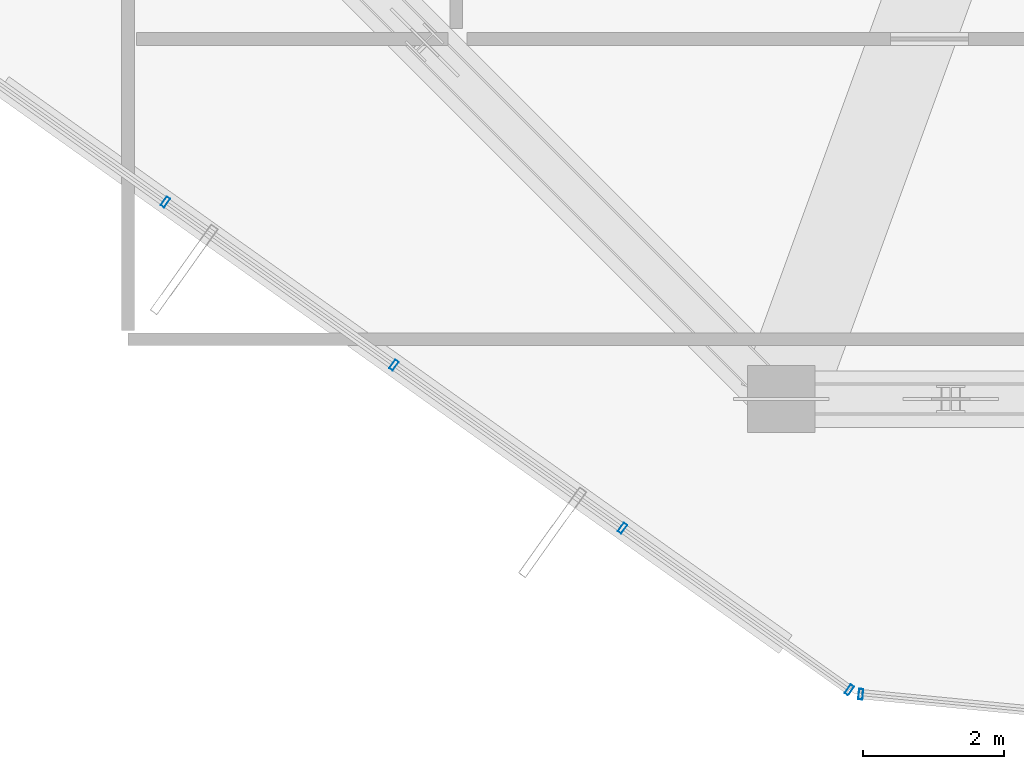
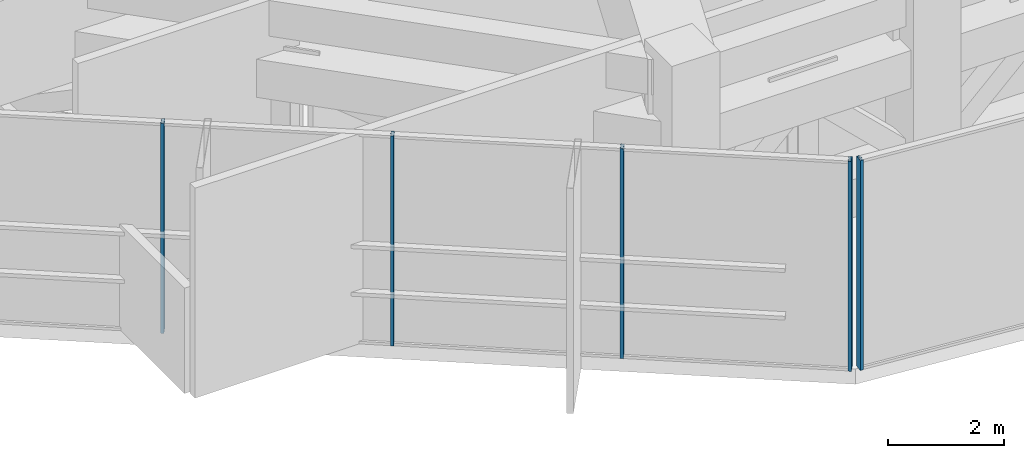
# One storey, part 2 of 31: 5 members, 2 elements without a shape of their own.
"""IFC4 building model written with IfcOpenShell, lengths in metres."""

from ifc_helpers import new_model, si_unit, direction, frame, origin, origin_2d, place, context, subcontext, project, spatial, hollow_rectangle, extrude, source, transform, mapped, material, layer, layer_set, material_profile, profile_set, type_object, element, aggregate, save


model = new_model("IFC4")

# Units and contexts
model_context = context("Model", 3, precision=1e-05, world=origin(), true_north=direction((0.0, 1.0)))
body_context = subcontext(model_context, "Body", "Model", "MODEL_VIEW")
ifc_project = project(units=[si_unit("LENGTHUNIT", "METRE"), si_unit("AREAUNIT", "SQUARE_METRE"), si_unit("VOLUMEUNIT", "CUBIC_METRE"), si_unit("PLANEANGLEUNIT", "RADIAN"), si_unit("MASSUNIT", "GRAM", prefix="KILO")], contexts=[model_context])

# Site, building, storey
site_placement = place(None, origin())
site = spatial("IfcSite", under=ifc_project, at=site_placement, CompositionType="ELEMENT")
building_placement = place(site_placement, origin())
building = spatial("IfcBuilding", under=site, at=building_placement, Name="Veraguas Prism Commons", CompositionType="ELEMENT")
storey_placement = place(building_placement, frame((0.0, 0.0, 225.39990234375)))
storey = spatial("IfcBuildingStorey", under=building, at=storey_placement, Name="L64", CompositionType="ELEMENT", Elevation=225.39990234375)

# Curtain wall, members
ifc_material = material(Name="Anodised aluminium EN AW-6063 T6", Category="aluminium")
ifc_layer = layer(ifc_material, 0.14990234375, Name="Unitised Flush Curtain Wall Zone 3", Category="aluminium")
ifc_layer_set = layer_set([ifc_layer], Name="Anodised aluminium EN AW-6063 T6")
curtain_wall_type = type_object("IfcCurtainWallType", Name="Unitised Flush Curtain Wall Zone 3", PredefinedType="NOTDEFINED", material=ifc_layer_set)
curtain_wall_1_placement = place(storey_placement, origin())
curtain_wall_1 = element("IfcCurtainWall", 1, at=curtain_wall_1_placement, inside=storey, type_object=curtain_wall_type, Name="Tower Facade Curtain Wall L64-F4", PredefinedType="NOTDEFINED")
ifc_material_profile = material_profile(ifc_material, hollow_rectangle(XDim=0.06005859375, YDim=0.14990234375, WallThickness=0.0029296875, at=origin_2d()), Name="AL60X150X3")
ifc_profile_set = profile_set([ifc_material_profile], Name="Anodised aluminium EN AW-6063 T6")
member_type = type_object("IfcMemberType", Name="Curtain Wall Mullion Upper AL 60x150x3", PredefinedType="MULLION", material=ifc_profile_set)
shared_shape = source(origin(), body_context, "Body", "SweptSolid", [
    extrude(hollow_rectangle(XDim=0.06005859375, YDim=0.14990234375, WallThickness=0.0029296875, at=origin_2d()), origin(), (0.0, 0.0, 1.0), 4.4150390625),
])
member_1_placement = place(storey_placement, frame((10.47900390625, 11.890625, 0.0), z_axis=(0.0, 0.0, 1.0), x_axis=(0.814113491316, -0.580705797507, 0.0)))
member_1 = element("IfcMember", 2, at=member_1_placement, type_object=member_type, Name="CW-Z3 Mullion 2", PredefinedType="MULLION", context=body_context, shape_type="MappedRepresentation", body=[
    mapped(shared_shape, transform((0.0, 0.0, 0.0), scale=1.0)),
])
member_2_placement = place(storey_placement, frame((13.715576171875, 9.581787109375, 0.0), z_axis=(0.0, 0.0, 1.0), x_axis=(0.814113491316, -0.580705797507, 0.0)))
member_2 = element("IfcMember", 3, at=member_2_placement, type_object=member_type, Name="CW-Z3 Mullion 3", PredefinedType="MULLION", context=body_context, shape_type="MappedRepresentation", body=[
    mapped(shared_shape, transform((0.0, 0.0, 0.0), scale=1.0)),
])
member_3_placement = place(storey_placement, frame((16.952392578125, 7.273193359375, 0.0), z_axis=(0.0, 0.0, 1.0), x_axis=(0.814113491316, -0.580705797507, 0.0)))
member_3 = element("IfcMember", 4, at=member_3_placement, type_object=member_type, Name="CW-Z3 Mullion 4", PredefinedType="MULLION", context=body_context, shape_type="MappedRepresentation", body=[
    mapped(shared_shape, transform((0.0, 0.0, 0.0), scale=1.0)),
])
member_4_placement = place(storey_placement, frame((20.16455078125, 4.98193359375, 0.0), z_axis=(0.0, 0.0, 1.0), x_axis=(0.814113491316, -0.580705797507, 0.0)))
member_4 = element("IfcMember", 5, at=member_4_placement, type_object=member_type, Name="CW-Z3 Mullion 5", PredefinedType="MULLION", context=body_context, shape_type="MappedRepresentation", body=[
    mapped(shared_shape, transform((0.0, 0.0, 0.0), scale=1.0)),
])
aggregate(curtain_wall_1, [member_1, member_2, member_3, member_4])

# Curtain wall, member
curtain_wall_2_placement = place(storey_placement, origin())
curtain_wall_2 = element("IfcCurtainWall", 6, at=curtain_wall_2_placement, inside=storey, type_object=curtain_wall_type, Name="Chamfer Curtain Wall L64-C5", PredefinedType="NOTDEFINED")
member_5_placement = place(storey_placement, frame((20.3271484375, 4.921142578125, 0.0), z_axis=(0.0, 0.0, 1.0), x_axis=(0.99539904173, -0.095816218478, 0.0)))
member_5 = element("IfcMember", 7, at=member_5_placement, type_object=member_type, Name="CW-Z3 Mullion 1", PredefinedType="MULLION", context=body_context, shape_type="MappedRepresentation", body=[
    mapped(shared_shape, transform((0.0, 0.0, 0.0), scale=1.0)),
])
aggregate(curtain_wall_2, [member_5])

save(model, "model.ifc")
